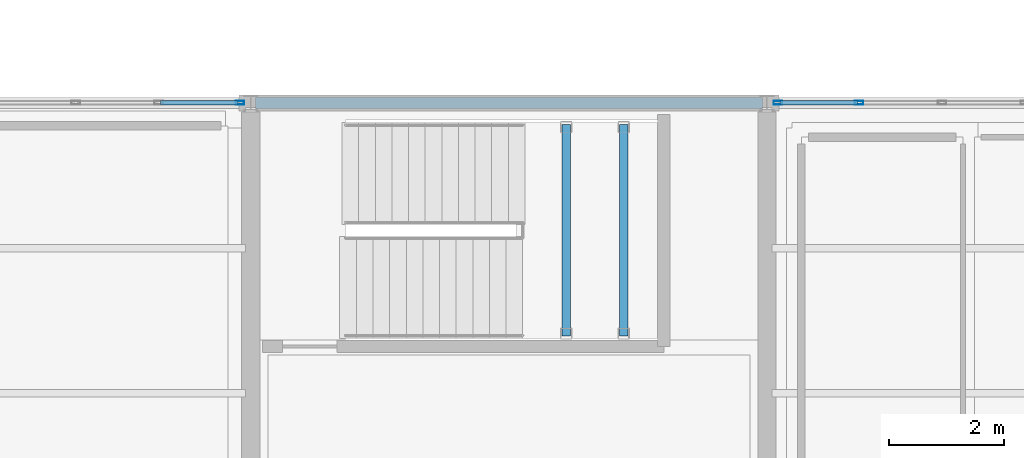
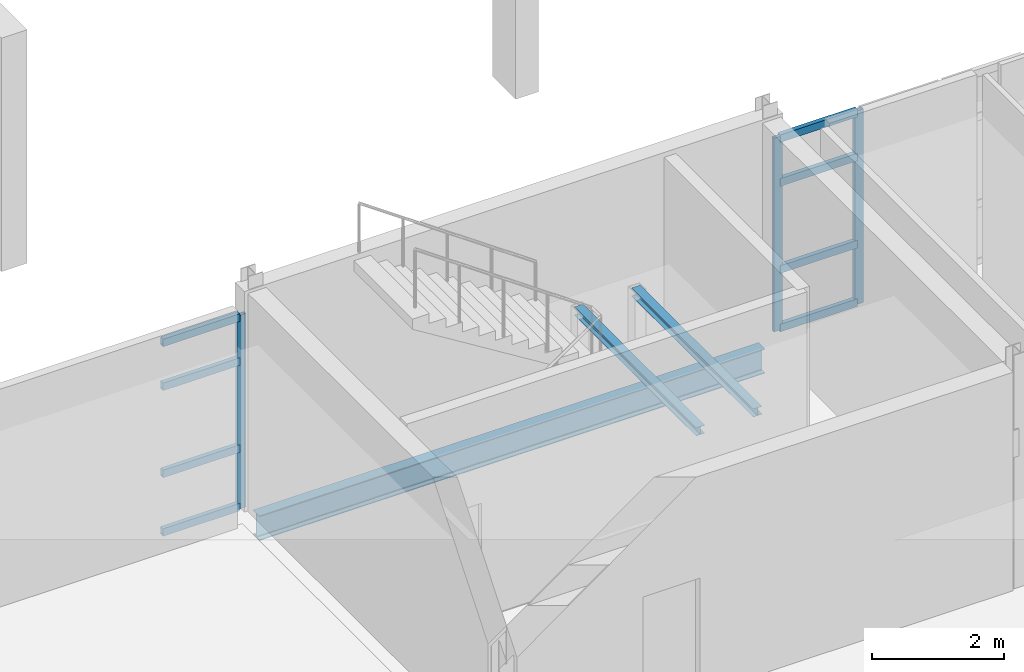
# One storey, part 98 of 166: 11 members, 3 beams, 2 elements without a shape of their own.
"""IFC4 building model written with IfcOpenShell, lengths in metres."""

import ifcopenshell
import ifcopenshell.guid

model = None  # the IFC model being written
_history = None  # IfcOwnerHistory: only IFC2X3 demands one
_inside = {}  # id of a spatial element -> (the spatial element, [elements in it])
_under = {}  # id of a project, library or spatial element -> (it, [spatial elements below it])
_declared = {}  # id of a project -> (the project, [libraries it declares])
_typed = {}  # id of a type object -> (the type object, [elements of that type])
_made_of = {}  # id of a material, layer set ... -> (it, [elements and type objects made of it])


def new_model(schema):
    """Start an empty IFC model of exactly this schema.

    Asked for "IFC4X3", IfcOpenShell would pick the latest addendum, in which some entities
    have other attributes; the version numbers below select the first issue.
    IFC2X3 requires an IfcOwnerHistory on every rooted entity: one is made here for all.
    """
    global model, _history
    if schema == "IFC4X3":
        model = ifcopenshell.file(schema_version=(4, 3, 0, 0))
    else:
        model = ifcopenshell.file(schema=schema)
    _inside.clear()
    _under.clear()
    _declared.clear()
    _typed.clear()
    _made_of.clear()
    _history = None
    if model.schema == "IFC2X3":
        org = make("IfcOrganization", Name="unknown")
        user = make(
            "IfcPersonAndOrganization",
            ThePerson=make("IfcPerson", FamilyName="unknown"),
            TheOrganization=org,
        )
        app = make(
            "IfcApplication",
            ApplicationDeveloper=org,
            Version="unknown",
            ApplicationFullName="unknown",
            ApplicationIdentifier="unknown",
        )
        _history = make(
            "IfcOwnerHistory",
            OwningUser=user,
            OwningApplication=app,
            ChangeAction="ADDED",
            CreationDate=0,
        )
    return model


def make(cls, **values):
    """One entity of the class cls with the attributes given. An attribute that is None is left unset."""
    return model.create_entity(
        cls, **{name: value for name, value in values.items() if value is not None}
    )


def rooted(cls, **values):
    """An entity with a GlobalId (a new one), such as an element, a storey or a relation."""
    return make(cls, GlobalId=ifcopenshell.guid.new(), OwnerHistory=_history, **values)


def si_unit(unit_type, name, prefix=None):
    """IfcSIUnit, for example si_unit("LENGTHUNIT", "METRE", prefix="MILLI")."""
    return make("IfcSIUnit", UnitType=unit_type, Prefix=prefix, Name=name)


def assignment(units):
    """IfcUnitAssignment: the units of a project."""
    return None if units is None else make("IfcUnitAssignment", Units=units)


def point(xyz):
    """IfcCartesianPoint."""
    return None if xyz is None else make("IfcCartesianPoint", Coordinates=xyz)


def direction(xyz):
    """IfcDirection."""
    return None if xyz is None else make("IfcDirection", DirectionRatios=xyz)


def frame(location, z_axis=None, x_axis=None):
    """IfcAxis2Placement3D, a coordinate frame: its origin and axes. An axis left out is left unset."""
    return make(
        "IfcAxis2Placement3D",
        Location=point(location),
        Axis=direction(z_axis),
        RefDirection=direction(x_axis),
    )


def frame_2d(location, x_axis=None):
    """IfcAxis2Placement2D, a coordinate frame in the plane: its origin and x axis."""
    return make(
        "IfcAxis2Placement2D", Location=point(location), RefDirection=direction(x_axis)
    )


def origin():
    """The frame at (0, 0, 0) with its axes left unset."""
    return frame((0.0, 0.0, 0.0))


def origin_2d():
    """The frame at (0, 0) in the plane with its x axis left unset."""
    return frame_2d((0.0, 0.0))


def place(relative_to, where):
    """IfcLocalPlacement: puts the frame where relative to a parent placement (None: the world)."""
    return make(
        "IfcLocalPlacement", PlacementRelTo=relative_to, RelativePlacement=where
    )


def context(
    kind, dimensions, precision=None, world=None, true_north=None, identifier=None
):
    """IfcGeometricRepresentationContext, for example the 3D "Model" context."""
    return make(
        "IfcGeometricRepresentationContext",
        ContextIdentifier=identifier,
        ContextType=kind,
        CoordinateSpaceDimension=dimensions,
        Precision=precision,
        WorldCoordinateSystem=world,
        TrueNorth=true_north,
    )


def subcontext(parent, identifier, kind, view, scale=None):
    """IfcGeometricRepresentationSubContext, for example "Body" below "Model"."""
    return make(
        "IfcGeometricRepresentationSubContext",
        ContextIdentifier=identifier,
        ContextType=kind,
        ParentContext=parent,
        TargetScale=scale,
        TargetView=view,
    )


def project(units=None, contexts=None):
    """IfcProject with its units and contexts."""
    return rooted(
        "IfcProject",
        Name="project",
        RepresentationContexts=contexts,
        UnitsInContext=assignment(units),
    )


def spatial(cls, under=None, at=None, **own):
    """A site, building, storey or space (cls), placed at a placement, below another one or the project."""
    s = rooted(cls, ObjectPlacement=at, **own)
    if under is not None:
        _under.setdefault(under.id(), (under, []))[1].append(s)
    return s


def profile(cls, at=None, kind="AREA", **sizes):
    """A parametric profile (cls). Its sizes go by their IFC names, for example OverallWidth=200.0."""
    return make(cls, ProfileType=kind, Position=at, **sizes)


def hollow_rectangle(**sizes):
    """IfcRectangleHollowProfileDef."""
    return profile("IfcRectangleHollowProfileDef", **sizes)


def i_section(**sizes):
    """IfcIShapeProfileDef."""
    return profile("IfcIShapeProfileDef", **sizes)


def extrude(swept, where, along, depth):
    """IfcExtrudedAreaSolid: the profile swept, set in the frame where, extruded along a direction by depth."""
    return make(
        "IfcExtrudedAreaSolid",
        SweptArea=swept,
        Position=where,
        ExtrudedDirection=direction(along),
        Depth=depth,
    )


def shape(context_of_items, identifier, shape_type, items):
    """IfcShapeRepresentation: the items that make up one representation, for example the "Body"."""
    return make(
        "IfcShapeRepresentation",
        ContextOfItems=context_of_items,
        RepresentationIdentifier=identifier,
        RepresentationType=shape_type,
        Items=items,
    )


def material(Name=None, Category=None):
    """IfcMaterial."""
    return make("IfcMaterial", Name=Name, Category=Category)


def material_profile(
    of_material, cross_section, Name=None, Category=None, Priority=None
):
    """IfcMaterialProfile: a cross section and its material."""
    return make(
        "IfcMaterialProfile",
        Name=Name,
        Material=of_material,
        Profile=cross_section,
        Priority=Priority,
        Category=Category,
    )


def profile_set(profiles, Name=None, composite=None):
    """IfcMaterialProfileSet."""
    return make(
        "IfcMaterialProfileSet",
        Name=Name,
        MaterialProfiles=profiles,
        CompositeProfile=composite,
    )


def made_of(thing, what):
    """Note that an element or type object is made of a material, layer set ...; save() writes the relation."""
    if what is not None:
        _made_of.setdefault(what.id(), (what, []))[1].append(thing)
    return thing


def type_object(cls, material=None, **own):
    """A type object (cls), such as IfcWallType, which elements share."""
    return made_of(rooted(cls, **own), material)


def element(
    cls,
    number,
    at=None,
    inside=None,
    cuts=None,
    type_object=None,
    material=None,
    context=None,
    identifier="Body",
    shape_type=None,
    held_by="IfcProductDefinitionShape",
    body=None,
    shapes=None,
    **own,
):
    """One element of the class cls, such as IfcWall. Its Tag is "e" and its number.

    at: its placement. inside: the storey or other place that contains it. cuts: it is an
    opening in that element (IfcRelVoidsElement). A single representation is given by context,
    identifier, shape_type and body (its items); several are given by shapes. held_by: the class
    of the entity that holds the representations. save() writes the other relations.
    """
    e = rooted(cls, Tag="e%d" % number, ObjectPlacement=at, **own)
    if body is not None:
        shapes = [shape(context, identifier, shape_type, body)]
    if shapes is not None:
        e.Representation = make(held_by, Representations=shapes)
    if inside is not None:
        _inside.setdefault(inside.id(), (inside, []))[1].append(e)
    if cuts is not None:
        rooted(
            "IfcRelVoidsElement", RelatingBuildingElement=cuts, RelatedOpeningElement=e
        )
    if type_object is not None:
        _typed.setdefault(type_object.id(), (type_object, []))[1].append(e)
    return made_of(e, material)


def aggregate(whole, parts):
    """IfcRelAggregates: a whole, such as a stair, and the parts it consists of."""
    return rooted("IfcRelAggregates", RelatingObject=whole, RelatedObjects=parts)


def save(model, path):
    """Write the relations noted so far, then the file.

    IfcRelAggregates (storeys below a building ...), IfcRelContainedInSpatialStructure (elements
    in a storey), IfcRelDefinesByType, IfcRelAssociatesMaterial and IfcRelDeclares: one each for
    every whole, place, type object, material and project.
    """
    for whole, parts in _under.values():
        aggregate(whole, parts)
    for where, things in _inside.values():
        rooted(
            "IfcRelContainedInSpatialStructure",
            RelatedElements=things,
            RelatingStructure=where,
        )
    for kind, things in _typed.values():
        rooted("IfcRelDefinesByType", RelatedObjects=things, RelatingType=kind)
    for what, things in _made_of.values():
        rooted("IfcRelAssociatesMaterial", RelatedObjects=things, RelatingMaterial=what)
    for by, libraries in _declared.values():
        rooted("IfcRelDeclares", RelatingContext=by, RelatedDefinitions=libraries)
    model.write(path)


model = new_model("IFC4")

# Units and contexts
model_context = context("Model", 3, precision=1e-05, world=origin(), true_north=direction((0.0, 1.0)))
body_context = subcontext(model_context, "Body", "Model", "MODEL_VIEW")
ifc_project = project(units=[si_unit("LENGTHUNIT", "METRE"), si_unit("AREAUNIT", "SQUARE_METRE"), si_unit("VOLUMEUNIT", "CUBIC_METRE"), si_unit("PLANEANGLEUNIT", "RADIAN"), si_unit("MASSUNIT", "GRAM", prefix="KILO")], contexts=[model_context])

# Site, building, storey
site_placement = place(None, origin())
site = spatial("IfcSite", under=ifc_project, at=site_placement, CompositionType="ELEMENT")
building_placement = place(site_placement, origin())
building = spatial("IfcBuilding", under=site, at=building_placement, Name="Caisbarro Railhouse Central Library", CompositionType="ELEMENT")
storey_placement = place(building_placement, frame((0.0, 0.0, 9.360107421875)))
storey = spatial("IfcBuildingStorey", under=building, at=storey_placement, Name="L02", CompositionType="ELEMENT", Elevation=9.360107421875)

# Beams
ifc_material_1 = material(Name="Steel ASTM A572 Grade 50", Category="steel")
ifc_material_profile_1 = material_profile(ifc_material_1, i_section(OverallWidth=0.152099609375, OverallDepth=0.152099609375, WebThickness=0.005859375, FlangeThickness=0.006591796875, FilletRadius=0.008056640625, at=origin_2d()), Name="W150X22.5")
ifc_profile_set_1 = profile_set([ifc_material_profile_1], Name="Steel ASTM A572 Grade 50")
beam_type_1 = type_object("IfcBeamType", Name="BM-SL02", PredefinedType="BEAM", material=ifc_profile_set_1)
for number, where, z_axis, x_axis, name in (
    (1, (86.5, 102.330078125, 1.893798828125), (0.0, 1.0, 0.0), (-1.0, 0.0, 0.0), "SL02 Stair Landing Support Beam K5 L02 W"),
    (2, (87.5, 102.330078125, 1.893798828125), (0.0, 1.0, 0.0), (-1.0, 0.0, 0.0), "SL02 Stair Landing Support Beam K5 L02 E"),
):
    element("IfcBeam", number, at=place(storey_placement, frame(where, z_axis=z_axis, x_axis=x_axis)), inside=storey, type_object=beam_type_1, Name=name, PredefinedType="BEAM", context=body_context, shape_type="SweptSolid", body=[
        extrude(i_section(OverallWidth=0.152099609375, OverallDepth=0.152099609375, WebThickness=0.005859375, FlangeThickness=0.006591796875, FilletRadius=0.008056640625, at=origin_2d()), origin(), (0.0, 0.0, 1.0), 3.68994140625),
    ])
ifc_material_profile_2 = material_profile(ifc_material_1, i_section(OverallWidth=0.18994140625, OverallDepth=0.45703125, WebThickness=0.009033203125, FlangeThickness=0.014404296875, FilletRadius=0.01806640625, at=origin_2d()), Name="W460X74.0")
ifc_profile_set_2 = profile_set([ifc_material_profile_2], Name="Steel ASTM A572 Grade 50")
beam_type_2 = type_object("IfcBeamType", Name="BM-SP01", PredefinedType="SPANDREL", material=ifc_profile_set_2)
beam_placement = place(storey_placement, frame((81.080078125, 106.39990234375, -0.4287109375), z_axis=(1.0, 0.0, 0.0), x_axis=(0.0, 1.0, 0.0)))
element("IfcBeam", 3, at=beam_placement, inside=storey, type_object=beam_type_2, Name="SP01 beam L02 #1670", PredefinedType="SPANDREL", context=body_context, shape_type="SweptSolid", body=[
    extrude(i_section(OverallWidth=0.18994140625, OverallDepth=0.45703125, WebThickness=0.009033203125, FlangeThickness=0.014404296875, FilletRadius=0.01806640625, at=origin_2d()), origin(), (0.0, 0.0, 1.0), 8.83984375),
])

# Curtain wall, member
ifc_material_2 = material(Name="Anodised architectural aluminium", Category="aluminium")
curtain_wall_type = type_object("IfcCurtainWallType", Name="CW-CW03", PredefinedType="NOTDEFINED", material=ifc_material_2)
curtain_wall_1_placement = place(storey_placement, origin())
curtain_wall_1 = element("IfcCurtainWall", 4, at=curtain_wall_1_placement, inside=storey, type_object=curtain_wall_type, Name="CW03 curtain wall L02 #183", PredefinedType="NOTDEFINED")
ifc_material_profile_3 = material_profile(ifc_material_2, hollow_rectangle(XDim=0.06494140625, YDim=0.14990234375, WallThickness=0.00390625, at=origin_2d()), Name="ALU-MUL-65X150")
ifc_profile_set_3 = profile_set([ifc_material_profile_3], Name="Anodised architectural aluminium")
member_type_1 = type_object("IfcMemberType", Name="CWM-M02", PredefinedType="MULLION", material=ifc_profile_set_3)
member_1_placement = place(storey_placement, frame((80.8076171875, 106.39990234375, 0.0), z_axis=(0.0, 0.0, 1.0), x_axis=(0.0, 1.0, 0.0)))
member_1 = element("IfcMember", 5, at=member_1_placement, type_object=member_type_1, Name="CW03 mullion 7", PredefinedType="MULLION", context=body_context, shape_type="SweptSolid", body=[
    extrude(hollow_rectangle(XDim=0.06494140625, YDim=0.14990234375, WallThickness=0.00390625, at=origin_2d()), origin(), (0.0, 0.0, 1.0), 3.579833984375),
])

# Curtain wall, members
curtain_wall_2_placement = place(storey_placement, origin())
curtain_wall_2 = element("IfcCurtainWall", 6, at=curtain_wall_2_placement, inside=storey, type_object=curtain_wall_type, Name="CW03 curtain wall L02 #186", PredefinedType="NOTDEFINED")
member_2_placement = place(storey_placement, frame((90.1923828125, 106.39990234375, 0.0), z_axis=(0.0, 0.0, 1.0), x_axis=(0.0, 1.0, 0.0)))
member_2 = element("IfcMember", 7, at=member_2_placement, type_object=member_type_1, Name="CW03 mullion 1", PredefinedType="MULLION", context=body_context, shape_type="SweptSolid", body=[
    extrude(hollow_rectangle(XDim=0.06494140625, YDim=0.14990234375, WallThickness=0.00390625, at=origin_2d()), origin(), (0.0, 0.0, 1.0), 3.579833984375),
])
member_3_placement = place(storey_placement, frame((91.606689453125, 106.39990234375, 0.0), z_axis=(0.0, 0.0, 1.0), x_axis=(0.0, 1.0, 0.0)))
member_3 = element("IfcMember", 8, at=member_3_placement, type_object=member_type_1, Name="CW03 mullion 2", PredefinedType="MULLION", context=body_context, shape_type="SweptSolid", body=[
    extrude(hollow_rectangle(XDim=0.06494140625, YDim=0.14990234375, WallThickness=0.00390625, at=origin_2d()), origin(), (0.0, 0.0, 1.0), 3.579833984375),
])

# Member
ifc_material_profile_4 = material_profile(ifc_material_2, hollow_rectangle(XDim=0.074951171875, YDim=0.139892578125, WallThickness=0.00390625, at=origin_2d()), Name="ALU-TRN-75X140")
ifc_profile_set_4 = profile_set([ifc_material_profile_4], Name="Anodised architectural aluminium")
member_type_2 = type_object("IfcMemberType", Name="CWT-T01", PredefinedType="USERDEFINED", material=ifc_profile_set_4)
member_4_placement = place(storey_placement, frame((79.42578125, 106.39990234375, 0.037353515625), z_axis=(1.0, 0.0, 0.0), x_axis=(0.0, 1.0, 0.0)))
member_4 = element("IfcMember", 9, at=member_4_placement, type_object=member_type_2, Name="CW03 transom 6.1", ObjectType="TRANSOM", PredefinedType="USERDEFINED", context=body_context, shape_type="SweptSolid", body=[
    extrude(hollow_rectangle(XDim=0.074951171875, YDim=0.139892578125, WallThickness=0.00390625, at=origin_2d()), origin(), (0.0, 0.0, 1.0), 1.34912109375),
])

member_5_placement = place(storey_placement, frame((79.42578125, 106.39990234375, 1.119873046875), z_axis=(1.0, 0.0, 0.0), x_axis=(0.0, 1.0, 0.0)))
member_5 = element("IfcMember", 10, at=member_5_placement, type_object=member_type_2, Name="CW03 transom 6.2", ObjectType="TRANSOM", PredefinedType="USERDEFINED", context=body_context, shape_type="SweptSolid", body=[
    extrude(hollow_rectangle(XDim=0.074951171875, YDim=0.139892578125, WallThickness=0.00390625, at=origin_2d()), origin(), (0.0, 0.0, 1.0), 1.34912109375),
])

member_6_placement = place(storey_placement, frame((79.42578125, 106.39990234375, 2.72998046875), z_axis=(1.0, 0.0, 0.0), x_axis=(0.0, 1.0, 0.0)))
member_6 = element("IfcMember", 11, at=member_6_placement, type_object=member_type_2, Name="CW03 transom 6.3", ObjectType="TRANSOM", PredefinedType="USERDEFINED", context=body_context, shape_type="SweptSolid", body=[
    extrude(hollow_rectangle(XDim=0.074951171875, YDim=0.139892578125, WallThickness=0.00390625, at=origin_2d()), origin(), (0.0, 0.0, 1.0), 1.34912109375),
])

member_7_placement = place(storey_placement, frame((79.42578125, 106.39990234375, 3.54248046875), z_axis=(1.0, 0.0, 0.0), x_axis=(0.0, 1.0, 0.0)))
member_7 = element("IfcMember", 12, at=member_7_placement, type_object=member_type_2, Name="CW03 transom 6.4", ObjectType="TRANSOM", PredefinedType="USERDEFINED", context=body_context, shape_type="SweptSolid", body=[
    extrude(hollow_rectangle(XDim=0.074951171875, YDim=0.139892578125, WallThickness=0.00390625, at=origin_2d()), origin(), (0.0, 0.0, 1.0), 1.34912109375),
])

aggregate(curtain_wall_1, [member_1, member_4, member_5, member_6, member_7])

member_8_placement = place(storey_placement, frame((90.22509765625, 106.39990234375, 0.037353515625), z_axis=(1.0, 0.0, 0.0), x_axis=(0.0, 1.0, 0.0)))
member_8 = element("IfcMember", 13, at=member_8_placement, type_object=member_type_2, Name="CW03 transom 1.1", ObjectType="TRANSOM", PredefinedType="USERDEFINED", context=body_context, shape_type="SweptSolid", body=[
    extrude(hollow_rectangle(XDim=0.074951171875, YDim=0.139892578125, WallThickness=0.00390625, at=origin_2d()), origin(), (0.0, 0.0, 1.0), 1.34912109375),
])

member_9_placement = place(storey_placement, frame((90.22509765625, 106.39990234375, 1.119873046875), z_axis=(1.0, 0.0, 0.0), x_axis=(0.0, 1.0, 0.0)))
member_9 = element("IfcMember", 14, at=member_9_placement, type_object=member_type_2, Name="CW03 transom 1.2", ObjectType="TRANSOM", PredefinedType="USERDEFINED", context=body_context, shape_type="SweptSolid", body=[
    extrude(hollow_rectangle(XDim=0.074951171875, YDim=0.139892578125, WallThickness=0.00390625, at=origin_2d()), origin(), (0.0, 0.0, 1.0), 1.34912109375),
])

member_10_placement = place(storey_placement, frame((90.22509765625, 106.39990234375, 2.72998046875), z_axis=(1.0, 0.0, 0.0), x_axis=(0.0, 1.0, 0.0)))
member_10 = element("IfcMember", 15, at=member_10_placement, type_object=member_type_2, Name="CW03 transom 1.3", ObjectType="TRANSOM", PredefinedType="USERDEFINED", context=body_context, shape_type="SweptSolid", body=[
    extrude(hollow_rectangle(XDim=0.074951171875, YDim=0.139892578125, WallThickness=0.00390625, at=origin_2d()), origin(), (0.0, 0.0, 1.0), 1.34912109375),
])

member_11_placement = place(storey_placement, frame((90.22509765625, 106.39990234375, 3.54248046875), z_axis=(1.0, 0.0, 0.0), x_axis=(0.0, 1.0, 0.0)))
member_11 = element("IfcMember", 16, at=member_11_placement, type_object=member_type_2, Name="CW03 transom 1.4", ObjectType="TRANSOM", PredefinedType="USERDEFINED", context=body_context, shape_type="SweptSolid", body=[
    extrude(hollow_rectangle(XDim=0.074951171875, YDim=0.139892578125, WallThickness=0.00390625, at=origin_2d()), origin(), (0.0, 0.0, 1.0), 1.34912109375),
])

aggregate(curtain_wall_2, [member_2, member_3, member_8, member_9, member_10, member_11])

save(model, "model.ifc")
